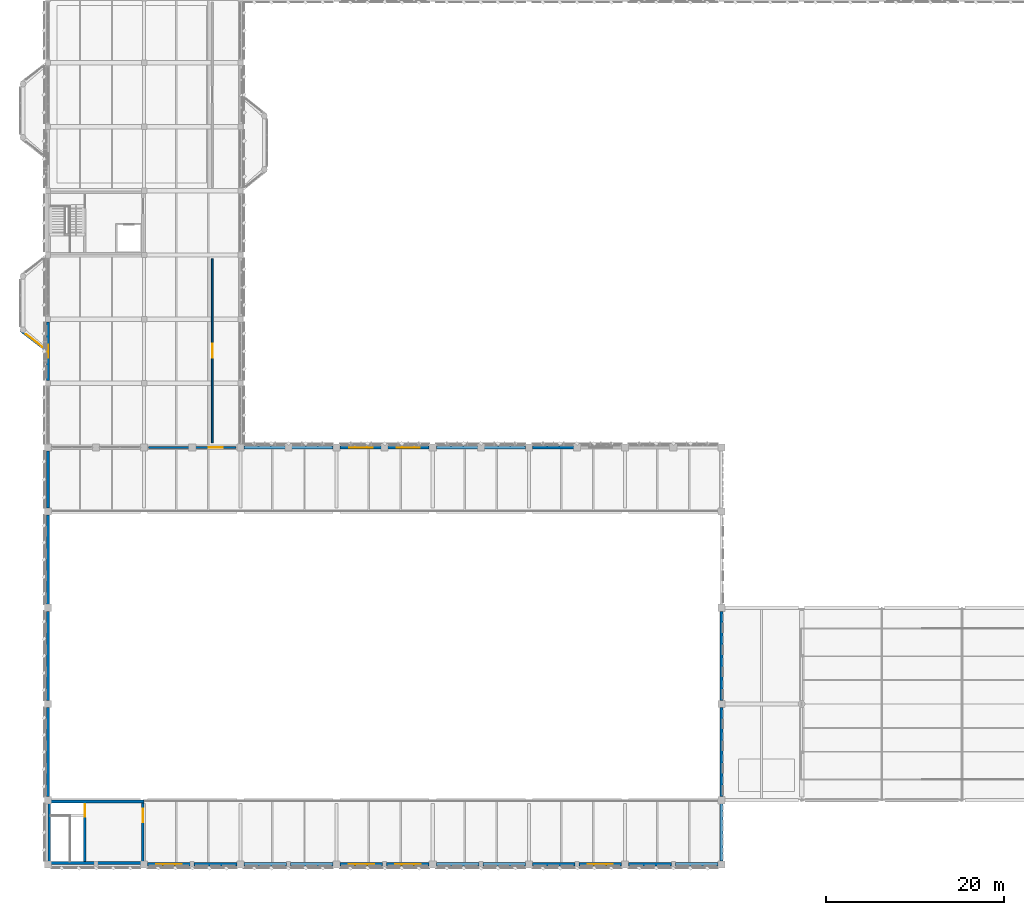
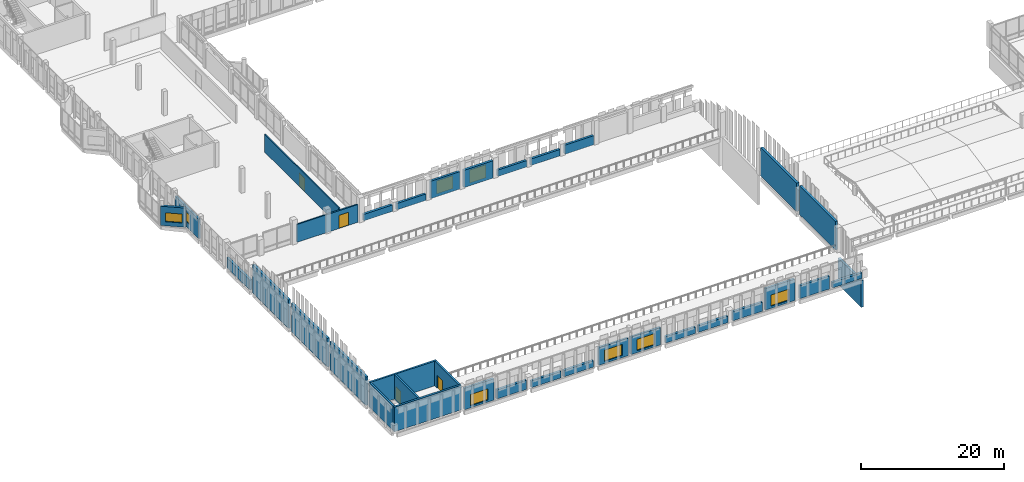
# One storey, part 131 of 158: 35 walls, 8 windows, 4 doors, 12 openings.
"""IFC4 building model written with IfcOpenShell, lengths in metres."""

from ifc_helpers import new_model, si_unit, direction, frame, frame_2d, origin, place, context, subcontext, project, spatial, rectangle, extrude, material, layer, layer_set, type_object, element, fill, save


model = new_model("IFC4")

# Units and contexts
model_context = context("Model", 3, precision=1e-05, world=origin(), true_north=direction((0.0, 1.0)))
body_context = subcontext(model_context, "Body", "Model", "MODEL_VIEW")
ifc_project = project(units=[si_unit("LENGTHUNIT", "METRE"), si_unit("AREAUNIT", "SQUARE_METRE"), si_unit("VOLUMEUNIT", "CUBIC_METRE"), si_unit("PLANEANGLEUNIT", "RADIAN"), si_unit("MASSUNIT", "GRAM", prefix="KILO")], contexts=[model_context])

# Site, building, storey
site_placement = place(None, origin())
site = spatial("IfcSite", under=ifc_project, at=site_placement, CompositionType="ELEMENT")
building_placement = place(site_placement, origin())
building = spatial("IfcBuilding", under=site, at=building_placement, Name="Lusvemor Sports Hall", CompositionType="ELEMENT")
storey_placement = place(building_placement, frame((0.0, 0.0, 10.800048828125)))
storey = spatial("IfcBuildingStorey", under=building, at=storey_placement, Name="L02", CompositionType="ELEMENT", Elevation=10.800048828125)

# Wall, opening, window
ifc_material_1 = material(Name="Emerald polychrome glazed ceramic cladding on Concrete C40/50 backing", Category="concrete")
ifc_layer_1 = layer(ifc_material_1, 0.364990234375)
ifc_layer_set_1 = layer_set([ifc_layer_1], Name="Emerald polychrome glazed ceramic cladding on Concrete C40/50 backing")
wall_type_1 = type_object("IfcWallType", Name="EW_WAVE_CER_365", PredefinedType="STANDARD", material=ifc_layer_set_1)
wall_1_placement = place(storey_placement, frame((15.97900390625, 0.0, -0.050048828125), z_axis=(0.0, 0.0, 1.0), x_axis=(-1.0, 0.0, 0.0)))
wall_1 = element("IfcWall", 1, at=wall_1_placement, inside=storey, type_object=wall_type_1, Name="Exterior Wall EW-WAVE-S-1-1", PredefinedType="STANDARD", context=body_context, shape_type="SweptSolid", body=[
    extrude(rectangle(XDim=4.782958984375, YDim=0.364990234375, at=frame_2d((2.3916015625, 0.0))), origin(), (0.0, 0.0, 1.0), 3.64697265625),
])
opening_1_placement = place(wall_1_placement, frame((0.968994140625, 0.0, 0.35009765625)))
opening_1 = element("IfcOpeningElement", 2, at=opening_1_placement, cuts=wall_1, Name="Opening WN17", PredefinedType="OPENING", context=body_context, shape_type="SweptSolid", body=[
    extrude(rectangle(XDim=2.840087890625, YDim=1.919921875, at=frame_2d((1.419921875, 0.9599609375))), frame((0.0, 0.1826171875, 0.0), z_axis=(0.0, -1.0, 0.0), x_axis=(1.0, 0.0, 0.0)), (0.0, 0.0, 1.0), 0.364990234375),
])
ifc_material_2 = material(Name="Solar-control laminated double glazing", Category="glass")
window_type_1 = type_object("IfcWindowType", Name="WIN_17", PartitioningType="SINGLE_PANEL", PredefinedType="WINDOW", material=ifc_material_2)
window_1_placement = place(opening_1_placement, origin())
window_1 = element("IfcWindow", 3, at=window_1_placement, inside=storey, type_object=window_type_1, Name="Boulevard Wave Clerestory Window S-1.1", OverallHeight=1.919921875, OverallWidth=2.840087890625, PartitioningType="SINGLE_PANEL", PredefinedType="WINDOW", context=body_context, shape_type="SweptSolid", body=[
    extrude(rectangle(XDim=2.840087890625, YDim=1.919921875, at=frame_2d((1.419921875, 0.9599609375))), frame((0.0, 0.030029296875, 0.0), z_axis=(0.0, -1.0, 0.0), x_axis=(1.0, 0.0, 0.0)), (0.0, 0.0, 1.0), 0.06005859375),
])
fill(opening_1, window_1)

# Walls
wall_2_placement = place(storey_placement, frame((21.2041015625, 0.0, -0.050048828125), z_axis=(0.0, 0.0, 1.0), x_axis=(-1.0, 0.0, 0.0)))
element("IfcWall", 4, at=wall_2_placement, inside=storey, type_object=wall_type_1, Name="Exterior Wall EW-WAVE-S-1-2", PredefinedType="STANDARD", context=body_context, shape_type="SweptSolid", body=[
    extrude(rectangle(XDim=4.783203125, YDim=0.364990234375, at=frame_2d((2.3916015625, 0.0))), origin(), (0.0, 0.0, 1.0), 1.54931640625),
])
wall_3_placement = place(storey_placement, frame((26.779052734375, 0.0, -0.050048828125), z_axis=(0.0, 0.0, 1.0), x_axis=(-1.0, 0.0, 0.0)))
element("IfcWall", 5, at=wall_3_placement, inside=storey, type_object=wall_type_1, Name="Exterior Wall EW-WAVE-S-2-1", PredefinedType="STANDARD", context=body_context, shape_type="SweptSolid", body=[
    extrude(rectangle(XDim=4.782958984375, YDim=0.364990234375, at=frame_2d((2.3916015625, 0.0))), origin(), (0.0, 0.0, 1.0), 1.116455078125),
])
wall_4_placement = place(storey_placement, frame((32.00390625, 0.0, -0.050048828125), z_axis=(0.0, 0.0, 1.0), x_axis=(-1.0, 0.0, 0.0)))
element("IfcWall", 6, at=wall_4_placement, inside=storey, type_object=wall_type_1, Name="Exterior Wall EW-WAVE-S-2-2", PredefinedType="STANDARD", context=body_context, shape_type="SweptSolid", body=[
    extrude(rectangle(XDim=4.782958984375, YDim=0.364990234375, at=frame_2d((2.3916015625, 0.0))), origin(), (0.0, 0.0, 1.0), 1.093994140625),
])
wall_5_placement = place(storey_placement, frame((21.99609375, 46.800048828125, -0.050048828125), z_axis=(0.0, 0.0, 1.0), x_axis=(1.0, 0.0, 0.0)))
element("IfcWall", 7, at=wall_5_placement, inside=storey, type_object=wall_type_1, Name="Exterior Wall EW-WAVE-N-2-1", PredefinedType="STANDARD", context=body_context, shape_type="SweptSolid", body=[
    extrude(rectangle(XDim=4.673828125, YDim=0.364990234375, at=frame_2d((2.3369140625, 0.0))), origin(), (0.0, 0.0, 1.0), 1.116455078125),
])
wall_6_placement = place(storey_placement, frame((27.330078125, 46.800048828125, -0.050048828125), z_axis=(0.0, 0.0, 1.0), x_axis=(1.0, 0.0, 0.0)))
element("IfcWall", 8, at=wall_6_placement, inside=storey, type_object=wall_type_1, Name="Exterior Wall EW-WAVE-N-2-2", PredefinedType="STANDARD", context=body_context, shape_type="SweptSolid", body=[
    extrude(rectangle(XDim=4.673828125, YDim=0.364990234375, at=frame_2d((2.3369140625, 0.0))), origin(), (0.0, 0.0, 1.0), 1.093994140625),
])

# Wall, opening, window
wall_7_placement = place(storey_placement, frame((37.5791015625, 0.0, -0.050048828125), z_axis=(0.0, 0.0, 1.0), x_axis=(-1.0, 0.0, 0.0)))
wall_7 = element("IfcWall", 9, at=wall_7_placement, inside=storey, type_object=wall_type_1, Name="Exterior Wall EW-WAVE-S-3-1", PredefinedType="STANDARD", context=body_context, shape_type="SweptSolid", body=[
    extrude(rectangle(XDim=4.783203125, YDim=0.364990234375, at=frame_2d((2.3916015625, 0.0))), origin(), (0.0, 0.0, 1.0), 2.97119140625),
])
opening_2_placement = place(wall_7_placement, frame((0.968994140625, 0.0, 0.35009765625)))
opening_2 = element("IfcOpeningElement", 10, at=opening_2_placement, cuts=wall_7, Name="Opening WN17", PredefinedType="OPENING", context=body_context, shape_type="SweptSolid", body=[
    extrude(rectangle(XDim=2.840087890625, YDim=1.919921875, at=frame_2d((1.419921875, 0.9599609375))), frame((0.0, 0.1826171875, 0.0), z_axis=(0.0, -1.0, 0.0), x_axis=(1.0, 0.0, 0.0)), (0.0, 0.0, 1.0), 0.364990234375),
])
window_2_placement = place(opening_2_placement, origin())
window_2 = element("IfcWindow", 11, at=window_2_placement, inside=storey, type_object=window_type_1, Name="Boulevard Wave Clerestory Window S-3.1", OverallHeight=1.919921875, OverallWidth=2.840087890625, PartitioningType="SINGLE_PANEL", PredefinedType="WINDOW", context=body_context, shape_type="SweptSolid", body=[
    extrude(rectangle(XDim=2.840087890625, YDim=1.919921875, at=frame_2d((1.419921875, 0.9599609375))), frame((0.0, 0.030029296875, 0.0), z_axis=(0.0, -1.0, 0.0), x_axis=(1.0, 0.0, 0.0)), (0.0, 0.0, 1.0), 0.06005859375),
])
fill(opening_2, window_2)

wall_8_placement = place(storey_placement, frame((42.803955078125, 0.0, -0.050048828125), z_axis=(0.0, 0.0, 1.0), x_axis=(-1.0, 0.0, 0.0)))
wall_8 = element("IfcWall", 12, at=wall_8_placement, inside=storey, type_object=wall_type_1, Name="Exterior Wall EW-WAVE-S-3-2", PredefinedType="STANDARD", context=body_context, shape_type="SweptSolid", body=[
    extrude(rectangle(XDim=4.782958984375, YDim=0.364990234375, at=frame_2d((2.3916015625, 0.0))), origin(), (0.0, 0.0, 1.0), 2.97119140625),
])
opening_3_placement = place(wall_8_placement, frame((0.97412109375, 0.0, 0.35009765625)))
opening_3 = element("IfcOpeningElement", 13, at=opening_3_placement, cuts=wall_8, Name="Opening WN17", PredefinedType="OPENING", context=body_context, shape_type="SweptSolid", body=[
    extrude(rectangle(XDim=2.840087890625, YDim=1.919921875, at=frame_2d((1.419921875, 0.9599609375))), frame((0.0, 0.1826171875, 0.0), z_axis=(0.0, -1.0, 0.0), x_axis=(1.0, 0.0, 0.0)), (0.0, 0.0, 1.0), 0.364990234375),
])
window_3_placement = place(opening_3_placement, origin())
window_3 = element("IfcWindow", 14, at=window_3_placement, inside=storey, type_object=window_type_1, Name="Boulevard Wave Clerestory Window S-3.2", OverallHeight=1.919921875, OverallWidth=2.840087890625, PartitioningType="SINGLE_PANEL", PredefinedType="WINDOW", context=body_context, shape_type="SweptSolid", body=[
    extrude(rectangle(XDim=2.840087890625, YDim=1.919921875, at=frame_2d((1.419921875, 0.9599609375))), frame((0.0, 0.030029296875, 0.0), z_axis=(0.0, -1.0, 0.0), x_axis=(1.0, 0.0, 0.0)), (0.0, 0.0, 1.0), 0.06005859375),
])
fill(opening_3, window_3)

wall_9_placement = place(storey_placement, frame((32.7958984375, 46.800048828125, -0.050048828125), z_axis=(0.0, 0.0, 1.0), x_axis=(1.0, 0.0, 0.0)))
wall_9 = element("IfcWall", 15, at=wall_9_placement, inside=storey, type_object=wall_type_1, Name="Exterior Wall EW-WAVE-N-3-1", PredefinedType="STANDARD", context=body_context, shape_type="SweptSolid", body=[
    extrude(rectangle(XDim=4.674072265625, YDim=0.364990234375, at=frame_2d((2.3369140625, 0.0))), origin(), (0.0, 0.0, 1.0), 2.97119140625),
])
opening_4_placement = place(wall_9_placement, frame((1.0439453125, 0.0, 0.35009765625)))
opening_4 = element("IfcOpeningElement", 16, at=opening_4_placement, cuts=wall_9, Name="Opening WN18", PredefinedType="OPENING", context=body_context, shape_type="SweptSolid", body=[
    extrude(rectangle(XDim=2.6201171875, YDim=2.239990234375, at=frame_2d((1.31005859375, 1.1201171875))), frame((0.0, 0.1826171875, 0.0), z_axis=(0.0, -1.0, 0.0), x_axis=(1.0, 0.0, 0.0)), (0.0, 0.0, 1.0), 0.364990234375),
])
ifc_material_3 = material(Name="Solar-control laminated double glazing", Category="glass")
window_type_2 = type_object("IfcWindowType", Name="WIN_18", PartitioningType="SINGLE_PANEL", PredefinedType="WINDOW", material=ifc_material_3)
window_4_placement = place(opening_4_placement, origin())
window_4 = element("IfcWindow", 17, at=window_4_placement, inside=storey, type_object=window_type_2, Name="Courtyard Wave Clerestory Window N-3.1", OverallHeight=2.239990234375, OverallWidth=2.6201171875, PartitioningType="SINGLE_PANEL", PredefinedType="WINDOW", context=body_context, shape_type="SweptSolid", body=[
    extrude(rectangle(XDim=2.6201171875, YDim=2.239990234375, at=frame_2d((1.31005859375, 1.1201171875))), frame((0.0, 0.030029296875, 0.0), z_axis=(0.0, -1.0, 0.0), x_axis=(1.0, 0.0, 0.0)), (0.0, 0.0, 1.0), 0.06005859375),
])
fill(opening_4, window_4)

wall_10_placement = place(storey_placement, frame((38.1298828125, 46.800048828125, -0.050048828125), z_axis=(0.0, 0.0, 1.0), x_axis=(1.0, 0.0, 0.0)))
wall_10 = element("IfcWall", 18, at=wall_10_placement, inside=storey, type_object=wall_type_1, Name="Exterior Wall EW-WAVE-N-3-2", PredefinedType="STANDARD", context=body_context, shape_type="SweptSolid", body=[
    extrude(rectangle(XDim=4.674072265625, YDim=0.364990234375, at=frame_2d((2.3369140625, 0.0))), origin(), (0.0, 0.0, 1.0), 2.97119140625),
])
opening_5_placement = place(wall_10_placement, frame((1.010009765625, 0.0, 0.35009765625)))
opening_5 = element("IfcOpeningElement", 19, at=opening_5_placement, cuts=wall_10, Name="Opening WN18", PredefinedType="OPENING", context=body_context, shape_type="SweptSolid", body=[
    extrude(rectangle(XDim=2.6201171875, YDim=2.239990234375, at=frame_2d((1.31005859375, 1.1201171875))), frame((0.0, 0.1826171875, 0.0), z_axis=(0.0, -1.0, 0.0), x_axis=(1.0, 0.0, 0.0)), (0.0, 0.0, 1.0), 0.364990234375),
])
window_5_placement = place(opening_5_placement, origin())
window_5 = element("IfcWindow", 20, at=window_5_placement, inside=storey, type_object=window_type_2, Name="Courtyard Wave Clerestory Window N-3.2", OverallHeight=2.239990234375, OverallWidth=2.6201171875, PartitioningType="SINGLE_PANEL", PredefinedType="WINDOW", context=body_context, shape_type="SweptSolid", body=[
    extrude(rectangle(XDim=2.6201171875, YDim=2.239990234375, at=frame_2d((1.31005859375, 1.1201171875))), frame((0.0, 0.030029296875, 0.0), z_axis=(0.0, -1.0, 0.0), x_axis=(1.0, 0.0, 0.0)), (0.0, 0.0, 1.0), 0.06005859375),
])
fill(opening_5, window_5)

# Walls
wall_11_placement = place(storey_placement, frame((48.37890625, 0.0, -0.050048828125), z_axis=(0.0, 0.0, 1.0), x_axis=(-1.0, 0.0, 0.0)))
element("IfcWall", 21, at=wall_11_placement, inside=storey, type_object=wall_type_1, Name="Exterior Wall EW-WAVE-S-4-1", PredefinedType="STANDARD", context=body_context, shape_type="SweptSolid", body=[
    extrude(rectangle(XDim=4.782958984375, YDim=0.364990234375, at=frame_2d((2.3916015625, 0.0))), origin(), (0.0, 0.0, 1.0), 1.093994140625),
])
wall_12_placement = place(storey_placement, frame((53.60400390625, 0.0, -0.050048828125), z_axis=(0.0, 0.0, 1.0), x_axis=(-1.0, 0.0, 0.0)))
element("IfcWall", 22, at=wall_12_placement, inside=storey, type_object=wall_type_1, Name="Exterior Wall EW-WAVE-S-4-2", PredefinedType="STANDARD", context=body_context, shape_type="SweptSolid", body=[
    extrude(rectangle(XDim=4.782958984375, YDim=0.364990234375, at=frame_2d((2.3916015625, 0.0))), origin(), (0.0, 0.0, 1.0), 1.116455078125),
])
wall_13_placement = place(storey_placement, frame((43.595947265625, 46.800048828125, -0.050048828125), z_axis=(0.0, 0.0, 1.0), x_axis=(1.0, 0.0, 0.0)))
element("IfcWall", 23, at=wall_13_placement, inside=storey, type_object=wall_type_1, Name="Exterior Wall EW-WAVE-N-4-1", PredefinedType="STANDARD", context=body_context, shape_type="SweptSolid", body=[
    extrude(rectangle(XDim=4.674072265625, YDim=0.364990234375, at=frame_2d((2.3369140625, 0.0))), origin(), (0.0, 0.0, 1.0), 1.093994140625),
])
wall_14_placement = place(storey_placement, frame((48.929931640625, 46.800048828125, -0.050048828125), z_axis=(0.0, 0.0, 1.0), x_axis=(1.0, 0.0, 0.0)))
element("IfcWall", 24, at=wall_14_placement, inside=storey, type_object=wall_type_1, Name="Exterior Wall EW-WAVE-N-4-2", PredefinedType="STANDARD", context=body_context, shape_type="SweptSolid", body=[
    extrude(rectangle(XDim=4.674072265625, YDim=0.364990234375, at=frame_2d((2.3369140625, 0.0))), origin(), (0.0, 0.0, 1.0), 1.116455078125),
])
wall_15_placement = place(storey_placement, frame((59.178955078125, 0.0, -0.050048828125), z_axis=(0.0, 0.0, 1.0), x_axis=(-1.0, 0.0, 0.0)))
element("IfcWall", 25, at=wall_15_placement, inside=storey, type_object=wall_type_1, Name="Exterior Wall EW-WAVE-S-5-1", PredefinedType="STANDARD", context=body_context, shape_type="SweptSolid", body=[
    extrude(rectangle(XDim=4.782958984375, YDim=0.364990234375, at=frame_2d((2.3916015625, 0.0))), origin(), (0.0, 0.0, 1.0), 1.54931640625),
])

# Wall, opening, window
wall_16_placement = place(storey_placement, frame((64.404052734375, 0.0, -0.050048828125), z_axis=(0.0, 0.0, 1.0), x_axis=(-1.0, 0.0, 0.0)))
wall_16 = element("IfcWall", 26, at=wall_16_placement, inside=storey, type_object=wall_type_1, Name="Exterior Wall EW-WAVE-S-5-2", PredefinedType="STANDARD", context=body_context, shape_type="SweptSolid", body=[
    extrude(rectangle(XDim=4.782958984375, YDim=0.364990234375, at=frame_2d((2.3916015625, 0.0))), origin(), (0.0, 0.0, 1.0), 3.64697265625),
])
opening_6_placement = place(wall_16_placement, frame((0.97412109375, 0.0, 0.35009765625)))
opening_6 = element("IfcOpeningElement", 27, at=opening_6_placement, cuts=wall_16, Name="Opening WN17", PredefinedType="OPENING", context=body_context, shape_type="SweptSolid", body=[
    extrude(rectangle(XDim=2.840087890625, YDim=1.919921875, at=frame_2d((1.419921875, 0.9599609375))), frame((0.0, 0.1826171875, 0.0), z_axis=(0.0, -1.0, 0.0), x_axis=(1.0, 0.0, 0.0)), (0.0, 0.0, 1.0), 0.364990234375),
])
window_6_placement = place(opening_6_placement, origin())
window_6 = element("IfcWindow", 28, at=window_6_placement, inside=storey, type_object=window_type_1, Name="Boulevard Wave Clerestory Window S-5.2", OverallHeight=1.919921875, OverallWidth=2.840087890625, PartitioningType="SINGLE_PANEL", PredefinedType="WINDOW", context=body_context, shape_type="SweptSolid", body=[
    extrude(rectangle(XDim=2.840087890625, YDim=1.919921875, at=frame_2d((1.419921875, 0.9599609375))), frame((0.0, 0.030029296875, 0.0), z_axis=(0.0, -1.0, 0.0), x_axis=(1.0, 0.0, 0.0)), (0.0, 0.0, 1.0), 0.06005859375),
])
fill(opening_6, window_6)

# Walls
wall_17_placement = place(storey_placement, frame((54.39599609375, 46.800048828125, -0.050048828125), z_axis=(0.0, 0.0, 1.0), x_axis=(1.0, 0.0, 0.0)))
element("IfcWall", 29, at=wall_17_placement, inside=storey, type_object=wall_type_1, Name="Exterior Wall EW-WAVE-N-5-1", PredefinedType="STANDARD", context=body_context, shape_type="SweptSolid", body=[
    extrude(rectangle(XDim=4.674072265625, YDim=0.364990234375, at=frame_2d((2.3369140625, 0.0))), origin(), (0.0, 0.0, 1.0), 1.54931640625),
])
wall_18_placement = place(storey_placement, frame((69.97900390625, 0.0, -0.050048828125), z_axis=(0.0, 0.0, 1.0), x_axis=(-1.0, 0.0, 0.0)))
element("IfcWall", 30, at=wall_18_placement, inside=storey, type_object=wall_type_1, Name="Exterior Wall EW-WAVE-S-6-1", PredefinedType="STANDARD", context=body_context, shape_type="SweptSolid", body=[
    extrude(rectangle(XDim=4.782958984375, YDim=0.364990234375, at=frame_2d((2.3916015625, 0.0))), origin(), (0.0, 0.0, 1.0), 2.22021484375),
])
wall_19_placement = place(storey_placement, frame((75.2041015625, 0.0, -0.050048828125), z_axis=(0.0, 0.0, 1.0), x_axis=(-1.0, 0.0, 0.0)))
element("IfcWall", 31, at=wall_19_placement, inside=storey, type_object=wall_type_1, Name="Exterior Wall EW-WAVE-S-6-2", PredefinedType="STANDARD", context=body_context, shape_type="SweptSolid", body=[
    extrude(rectangle(XDim=4.783203125, YDim=0.364990234375, at=frame_2d((2.3916015625, 0.0))), origin(), (0.0, 0.0, 1.0), 0.94189453125),
])
wall_20_placement = place(storey_placement, frame((75.60009765625, 6.803955078125, -5.449951171875), z_axis=(0.0, 0.0, 1.0), x_axis=(0.0, -1.0, 0.0)))
element("IfcWall", 32, at=wall_20_placement, inside=storey, type_object=wall_type_1, Name="Exterior Wall EW-V1E-TYMP-1", PredefinedType="STANDARD", context=body_context, shape_type="SweptSolid", body=[
    extrude(rectangle(XDim=6.407958984375, YDim=0.364990234375, at=frame_2d((3.2041015625, 0.0))), origin(), (0.0, 0.0, 1.0), 4.56494140625),
])
for number, where, z_axis, x_axis, name in (
    (33, (0.0, 7.595947265625, -0.050048828125), (0.0, 0.0, 1.0), (0.0, 1.0, 0.0), "Exterior Wall EW-V1W-TYMP-2"),
    (34, (75.60009765625, 17.60400390625, -0.050048828125), (0.0, 0.0, 1.0), (0.0, -1.0, 0.0), "Exterior Wall EW-V1E-TYMP-2"),
    (35, (0.0, 18.39599609375, -0.050048828125), (0.0, 0.0, 1.0), (0.0, 1.0, 0.0), "Exterior Wall EW-V1W-TYMP-3"),
    (36, (75.60009765625, 28.404052734375, -0.050048828125), (0.0, 0.0, 1.0), (0.0, -1.0, 0.0), "Exterior Wall EW-V1E-TYMP-3"),
    (37, (0.0, 29.196044921875, -0.050048828125), (0.0, 0.0, 1.0), (0.0, 1.0, 0.0), "Exterior Wall EW-V1W-TYMP-4"),
):
    element("IfcWall", number, at=place(storey_placement, frame(where, z_axis=z_axis, x_axis=x_axis)), inside=storey, type_object=wall_type_1, Name=name, PredefinedType="STANDARD", context=body_context, shape_type="SweptSolid", body=[
        extrude(rectangle(XDim=10.008056640625, YDim=0.364990234375, at=frame_2d((5.00390625, 0.0))), origin(), (0.0, 0.0, 1.0), 4.857421875),
    ])
wall_21_placement = place(storey_placement, frame((0.0, 39.99609375, -0.050048828125), z_axis=(0.0, 0.0, 1.0), x_axis=(0.0, 1.0, 0.0)))
element("IfcWall", 38, at=wall_21_placement, inside=storey, type_object=wall_type_1, Name="Exterior Wall EW-V1W-TYMP-5", PredefinedType="STANDARD", context=body_context, shape_type="SweptSolid", body=[
    extrude(rectangle(XDim=6.407958984375, YDim=0.364990234375, at=frame_2d((3.2041015625, 0.0))), origin(), (0.0, 0.0, 1.0), 1.7041015625),
])

# Wall, opening, window
wall_22_placement = place(storey_placement, frame((-0.157470703125, 57.721923828125, 0.0), z_axis=(0.0, 0.0, 1.0), x_axis=(-0.79073005897, 0.612164989069, 0.0)))
wall_22 = element("IfcWall", 39, at=wall_22_placement, inside=storey, type_object=wall_type_1, Name="Art Nouveau Bow Wall EW-BOW-W1-L02-1", PredefinedType="STANDARD", context=body_context, shape_type="SweptSolid", body=[
    extrude(rectangle(XDim=3.601318359375, YDim=0.364990234375, at=frame_2d((1.80078125, 0.0))), origin(), (0.0, 0.0, 1.0), 3.280029296875),
])
opening_7_placement = place(wall_22_placement, frame((0.600830078125, 0.0, 0.699951171875)))
opening_7 = element("IfcOpeningElement", 40, at=opening_7_placement, cuts=wall_22, Name="Opening WN21", PredefinedType="OPENING", context=body_context, shape_type="SweptSolid", body=[
    extrude(rectangle(XDim=2.320068359375, YDim=1.52001953125, at=frame_2d((1.16015625, 0.760009765625))), frame((0.0, 0.1826171875, 0.0), z_axis=(0.0, -1.0, 0.0), x_axis=(1.0, 0.0, 0.0)), (0.0, 0.0, 1.0), 0.364990234375),
])
ifc_material_4 = material(Name="Solar-control laminated double glazing", Category="glass")
window_type_3 = type_object("IfcWindowType", Name="WIN_21", PartitioningType="SINGLE_PANEL", PredefinedType="WINDOW", material=ifc_material_4)
window_7_placement = place(opening_7_placement, origin())
window_7 = element("IfcWindow", 41, at=window_7_placement, inside=storey, type_object=window_type_3, Name="Art Nouveau Bow Window BOW-W1 L02-1", OverallHeight=1.52001953125, OverallWidth=2.320068359375, PartitioningType="SINGLE_PANEL", PredefinedType="WINDOW", context=body_context, shape_type="SweptSolid", body=[
    extrude(rectangle(XDim=2.320068359375, YDim=1.52001953125, at=frame_2d((1.16015625, 0.760009765625))), frame((0.0, 0.030029296875, 0.0), z_axis=(0.0, -1.0, 0.0), x_axis=(1.0, 0.0, 0.0)), (0.0, 0.0, 1.0), 0.06005859375),
])
fill(opening_7, window_7)

ifc_material_5 = material(Name="Warm terracotta Art Nouveau ceramic cladding on Concrete C40/50 backing", Category="masonry")
ifc_layer_2 = layer(ifc_material_5, 0.31494140625)
ifc_layer_set_2 = layer_set([ifc_layer_2], Name="Warm terracotta Art Nouveau ceramic cladding on Concrete C40/50 backing")
wall_type_2 = type_object("IfcWallType", Name="EW_WING_CAV_315", PredefinedType="STANDARD", material=ifc_layer_set_2)
wall_23_placement = place(storey_placement, frame((0.0, 54.31591796875, 0.0), z_axis=(0.0, 0.0, 1.0), x_axis=(0.0, 1.0, 0.0)))
wall_23 = element("IfcWall", 42, at=wall_23_placement, inside=storey, type_object=wall_type_2, Name="Exterior Wall EW-L02-W-0-1", PredefinedType="STANDARD", context=body_context, shape_type="SweptSolid", body=[
    extrude(rectangle(XDim=6.568115234375, YDim=0.31494140625, at=frame_2d((3.2841796875, 0.0))), origin(), (0.0, 0.0, 1.0), 3.3349609375),
])
opening_8_placement = place(wall_23_placement, frame((2.573974609375, 0.0, 0.89990234375)))
opening_8 = element("IfcOpeningElement", 43, at=opening_8_placement, cuts=wall_23, Name="Opening WN12", PredefinedType="OPENING", context=body_context, shape_type="SweptSolid", body=[
    extrude(rectangle(XDim=1.419921875, YDim=1.6201171875, at=frame_2d((0.7099609375, 0.81005859375))), frame((0.0, 0.157470703125, 0.0), z_axis=(0.0, -1.0, 0.0), x_axis=(1.0, 0.0, 0.0)), (0.0, 0.0, 1.0), 0.31494140625),
])
ifc_material_6 = material(Name="Solar-control laminated double glazing", Category="glass")
window_type_4 = type_object("IfcWindowType", Name="WIN_12", PartitioningType="SINGLE_PANEL", PredefinedType="WINDOW", material=ifc_material_6)
window_8_placement = place(opening_8_placement, origin())
window_8 = element("IfcWindow", 44, at=window_8_placement, inside=storey, type_object=window_type_4, Name="Wing Window L02-W-0-1", OverallHeight=1.6201171875, OverallWidth=1.419921875, PartitioningType="SINGLE_PANEL", PredefinedType="WINDOW", context=body_context, shape_type="SweptSolid", body=[
    extrude(rectangle(XDim=1.419921875, YDim=1.6201171875, at=frame_2d((0.7099609375, 0.81005859375))), frame((0.0, 0.030029296875, 0.0), z_axis=(0.0, -1.0, 0.0), x_axis=(1.0, 0.0, 0.0)), (0.0, 0.0, 1.0), 0.06005859375),
])
fill(opening_8, window_8)

# Wall, opening, door
ifc_material_7 = material(Name="Double-leaf acoustic gypsum board on metal studs")
ifc_layer_3 = layer(ifc_material_7, 0.179931640625)
ifc_layer_set_3 = layer_set([ifc_layer_3], Name="Double-leaf acoustic gypsum board on metal studs")
wall_type_3 = type_object("IfcWallType", Name="IW_ACOUST_184", PredefinedType="STANDARD", material=ifc_layer_set_3)
wall_24_placement = place(storey_placement, frame((18.449951171875, 47.300048828125, 0.0), z_axis=(0.0, 0.0, 1.0), x_axis=(0.0, 1.0, 0.0)))
wall_24 = element("IfcWall", 45, at=wall_24_placement, inside=storey, type_object=wall_type_3, Name="Partition IW-L02-W-FIT5", PredefinedType="STANDARD", context=body_context, shape_type="SweptSolid", body=[
    extrude(rectangle(XDim=20.699951171875, YDim=0.179931640625, at=frame_2d((10.35009765625, 0.0))), origin(), (0.0, 0.0, 1.0), 3.0400390625),
])
opening_9_placement = place(wall_24_placement, frame((9.570068359375, 0.0, 0.0)))
opening_9 = element("IfcOpeningElement", 46, at=opening_9_placement, cuts=wall_24, Name="Opening ID04", PredefinedType="OPENING", context=body_context, shape_type="SweptSolid", body=[
    extrude(rectangle(XDim=1.56005859375, YDim=2.25, at=frame_2d((0.780029296875, 1.125))), frame((0.0, 0.08984375, 0.0), z_axis=(0.0, -1.0, 0.0), x_axis=(1.0, 0.0, 0.0)), (0.0, 0.0, 1.0), 0.179931640625),
])
ifc_material_8 = material(Name="Acoustic solid-core hardwood door leaf in steel frame", Category="steel")
door_type_1 = type_object("IfcDoorType", Name="IDR_STUDIO_156", OperationType="NOTDEFINED", PredefinedType="DOOR", material=ifc_material_8)
door_1_placement = place(opening_9_placement, origin())
door_1 = element("IfcDoor", 47, at=door_1_placement, inside=storey, type_object=door_type_1, Name="DR-190", OperationType="SINGLE_SWING_RIGHT", OverallHeight=2.25, OverallWidth=1.56005859375, PredefinedType="DOOR", context=body_context, shape_type="SweptSolid", body=[
    extrude(rectangle(XDim=1.56005859375, YDim=2.25, at=frame_2d((0.780029296875, 1.125))), frame((0.0, 0.02490234375, 0.0), z_axis=(0.0, -1.0, 0.0), x_axis=(1.0, 0.0, 0.0)), (0.0, 0.0, 1.0), 0.050048828125),
])
fill(opening_9, door_1)

ifc_material_9 = material(Name="Plastered ceramic masonry blockwork", Category="masonry")
ifc_layer_4 = layer(ifc_material_9, 0.219970703125)
ifc_layer_set_4 = layer_set([ifc_layer_4], Name="Plastered ceramic masonry blockwork")
wall_type_4 = type_object("IfcWallType", Name="IW_COMP_224", PredefinedType="STANDARD", material=ifc_layer_set_4)
wall_25_placement = place(storey_placement, frame((11.300048828125, 46.800048828125, 0.0), z_axis=(0.0, 0.0, 1.0), x_axis=(1.0, 0.0, 0.0)))
wall_25 = element("IfcWall", 48, at=wall_25_placement, inside=storey, type_object=wall_type_4, Name="Partition IW-L02-V1N-WLINK", PredefinedType="STANDARD", context=body_context, shape_type="SweptSolid", body=[
    extrude(rectangle(XDim=9.800048828125, YDim=0.219970703125, at=frame_2d((4.89990234375, 0.0))), origin(), (0.0, 0.0, 1.0), 3.0400390625),
])
opening_10_placement = place(wall_25_placement, frame((6.739990234375, 0.0, 0.0)))
opening_10 = element("IfcOpeningElement", 49, at=opening_10_placement, cuts=wall_25, Name="Opening ID24", PredefinedType="OPENING", context=body_context, shape_type="SweptSolid", body=[
    extrude(rectangle(XDim=1.580078125, YDim=2.239990234375, at=frame_2d((0.7900390625, 1.1201171875))), frame((0.0, 0.10986328125, 0.0), z_axis=(0.0, -1.0, 0.0), x_axis=(1.0, 0.0, 0.0)), (0.0, 0.0, 1.0), 0.219970703125),
])
ifc_material_10 = material(Name="Fire-rated insulated painted steel door assembly", Category="steel")
door_type_2 = type_object("IfcDoorType", Name="IDR_GAL_LINK_158", OperationType="NOTDEFINED", PredefinedType="DOOR", material=ifc_material_10)
door_2_placement = place(opening_10_placement, origin())
door_2 = element("IfcDoor", 50, at=door_2_placement, inside=storey, type_object=door_type_2, Name="DR-185", OperationType="SINGLE_SWING_LEFT", OverallHeight=2.239990234375, OverallWidth=1.580078125, PredefinedType="DOOR", context=body_context, shape_type="SweptSolid", body=[
    extrude(rectangle(XDim=1.580078125, YDim=2.239990234375, at=frame_2d((0.7900390625, 1.1201171875))), frame((0.0, 0.02490234375, 0.0), z_axis=(0.0, -1.0, 0.0), x_axis=(1.0, 0.0, 0.0)), (0.0, 0.0, 1.0), 0.050048828125),
])
fill(opening_10, door_2)

# Walls
ifc_material_11 = material(Name="Concrete C40/50", Category="concrete")
ifc_layer_5 = layer(ifc_material_11, 0.300048828125)
ifc_layer_set_5 = layer_set([ifc_layer_5], Name="Concrete C40/50")
wall_type_5 = type_object("IfcWallType", Name="WALL_CORE_300_INT", PredefinedType="SHEAR", material=ifc_layer_set_5)
wall_26_placement = place(storey_placement, frame((0.0, 7.050048828125, 0.0), z_axis=(0.0, 0.0, 1.0), x_axis=(1.0, 0.0, 0.0)))
element("IfcWall", 51, at=wall_26_placement, inside=storey, type_object=wall_type_5, Name="Core C6 Southwest Hall Shear Wall N (L02)", PredefinedType="SHEAR", context=body_context, shape_type="SweptSolid", body=[
    extrude(rectangle(XDim=10.800048828125, YDim=0.300048828125, at=frame_2d((5.39990234375, 0.0))), origin(), (0.0, 0.0, 1.0), 4.199951171875),
])
wall_27_placement = place(storey_placement, frame((0.14990234375, 0.300048828125, 0.0), z_axis=(0.0, 0.0, 1.0), x_axis=(0.0, 1.0, 0.0)))
element("IfcWall", 52, at=wall_27_placement, inside=storey, type_object=wall_type_5, Name="Core C6 Southwest Hall Shear Wall W (L02)", PredefinedType="SHEAR", context=body_context, shape_type="SweptSolid", body=[
    extrude(rectangle(XDim=6.599853515625, YDim=0.300048828125, at=frame_2d((3.2998046875, 0.0))), origin(), (0.0, 0.0, 1.0), 4.199951171875),
])

# Wall, opening, door
wall_28_placement = place(storey_placement, frame((10.64990234375, 6.89990234375, 0.0), z_axis=(0.0, 0.0, 1.0), x_axis=(0.0, -1.0, 0.0)))
wall_28 = element("IfcWall", 53, at=wall_28_placement, inside=storey, type_object=wall_type_5, Name="Core C6 Southwest Hall Shear Wall E (L02)", PredefinedType="SHEAR", context=body_context, shape_type="SweptSolid", body=[
    extrude(rectangle(XDim=6.599853515625, YDim=0.300048828125, at=frame_2d((3.2998046875, 0.0))), origin(), (0.0, 0.0, 1.0), 4.199951171875),
])
opening_11_placement = place(wall_28_placement, frame((0.64990234375, 0.0, 0.0)))
opening_11 = element("IfcOpeningElement", 54, at=opening_11_placement, cuts=wall_28, Name="Opening DR-FD60-01", PredefinedType="OPENING", context=body_context, shape_type="SweptSolid", body=[
    extrude(rectangle(XDim=1.5400390625, YDim=2.219970703125, at=frame_2d((0.77001953125, 1.10986328125))), frame((0.0, 0.14990234375, 0.0), z_axis=(0.0, -1.0, 0.0), x_axis=(1.0, 0.0, 0.0)), (0.0, 0.0, 1.0), 0.300048828125),
])
ifc_material_12 = material(Name="Fire-rated insulated painted steel door assembly", Category="steel")
door_type_3 = type_object("IfcDoorType", Name="IDR_LOBBY_FD60_154", OperationType="NOTDEFINED", PredefinedType="DOOR", material=ifc_material_12)
door_3_placement = place(opening_11_placement, origin())
door_3 = element("IfcDoor", 55, at=door_3_placement, inside=storey, type_object=door_type_3, Name="DR-115", OperationType="SINGLE_SWING_LEFT", OverallHeight=2.219970703125, OverallWidth=1.5400390625, PredefinedType="DOOR", context=body_context, shape_type="SweptSolid", body=[
    extrude(rectangle(XDim=1.5400390625, YDim=2.219970703125, at=frame_2d((0.77001953125, 1.10986328125))), frame((0.0, 0.02490234375, 0.0), z_axis=(0.0, -1.0, 0.0), x_axis=(1.0, 0.0, 0.0)), (0.0, 0.0, 1.0), 0.050048828125),
])
fill(opening_11, door_3)

wall_29_placement = place(storey_placement, frame((4.14990234375, 0.300048828125, 0.0), z_axis=(0.0, 0.0, 1.0), x_axis=(0.0, 1.0, 0.0)))
wall_29 = element("IfcWall", 56, at=wall_29_placement, inside=storey, type_object=wall_type_5, Name="Core C6 Southwest Hall Shear Wall M (L02)", PredefinedType="SHEAR", context=body_context, shape_type="SweptSolid", body=[
    extrude(rectangle(XDim=6.599853515625, YDim=0.300048828125, at=frame_2d((3.2998046875, 0.0))), origin(), (0.0, 0.0, 1.0), 4.199951171875),
])
opening_12_placement = place(wall_29_placement, frame((5.030029296875, 0.0, 0.0)))
opening_12 = element("IfcOpeningElement", 57, at=opening_12_placement, cuts=wall_29, Name="Opening DR-FD90-01", PredefinedType="OPENING", context=body_context, shape_type="SweptSolid", body=[
    extrude(rectangle(XDim=1.419921875, YDim=2.199951171875, at=frame_2d((0.7099609375, 1.10009765625))), frame((0.0, 0.14990234375, 0.0), z_axis=(0.0, -1.0, 0.0), x_axis=(1.0, 0.0, 0.0)), (0.0, 0.0, 1.0), 0.300048828125),
])
ifc_material_13 = material(Name="Fire-rated insulated painted steel door assembly", Category="steel")
door_type_4 = type_object("IfcDoorType", Name="IDR_STAIR_FD90_142", OperationType="NOTDEFINED", PredefinedType="DOOR", material=ifc_material_13)
door_4_placement = place(opening_12_placement, origin())
door_4 = element("IfcDoor", 58, at=door_4_placement, inside=storey, type_object=door_type_4, Name="DR-114", OperationType="SINGLE_SWING_RIGHT", OverallHeight=2.199951171875, OverallWidth=1.419921875, PredefinedType="DOOR", context=body_context, shape_type="SweptSolid", body=[
    extrude(rectangle(XDim=1.419921875, YDim=2.199951171875, at=frame_2d((0.7099609375, 1.10009765625))), frame((0.0, 0.02490234375, 0.0), z_axis=(0.0, -1.0, 0.0), x_axis=(1.0, 0.0, 0.0)), (0.0, 0.0, 1.0), 0.050048828125),
])
fill(opening_12, door_4)

# Wall
ifc_material_14 = material(Name="Concrete C40/50", Category="concrete")
ifc_layer_6 = layer(ifc_material_14, 0.324951171875)
ifc_layer_set_6 = layer_set([ifc_layer_6], Name="Concrete C40/50")
wall_type_6 = type_object("IfcWallType", Name="WALL_CORE_325_EXT", PredefinedType="SHEAR", material=ifc_layer_set_6)
wall_30_placement = place(storey_placement, frame((10.800048828125, 0.14990234375, 0.0), z_axis=(0.0, 0.0, 1.0), x_axis=(-1.0, 0.0, 0.0)))
element("IfcWall", 59, at=wall_30_placement, inside=storey, type_object=wall_type_6, Name="Core C6 Southwest Hall Shear Wall S (L02)", PredefinedType="SHEAR", context=body_context, shape_type="SweptSolid", body=[
    extrude(rectangle(XDim=10.800048828125, YDim=0.324951171875, at=frame_2d((5.39990234375, 0.0))), origin(), (0.0, 0.0, 1.0), 4.199951171875),
])

save(model, "model.ifc")
